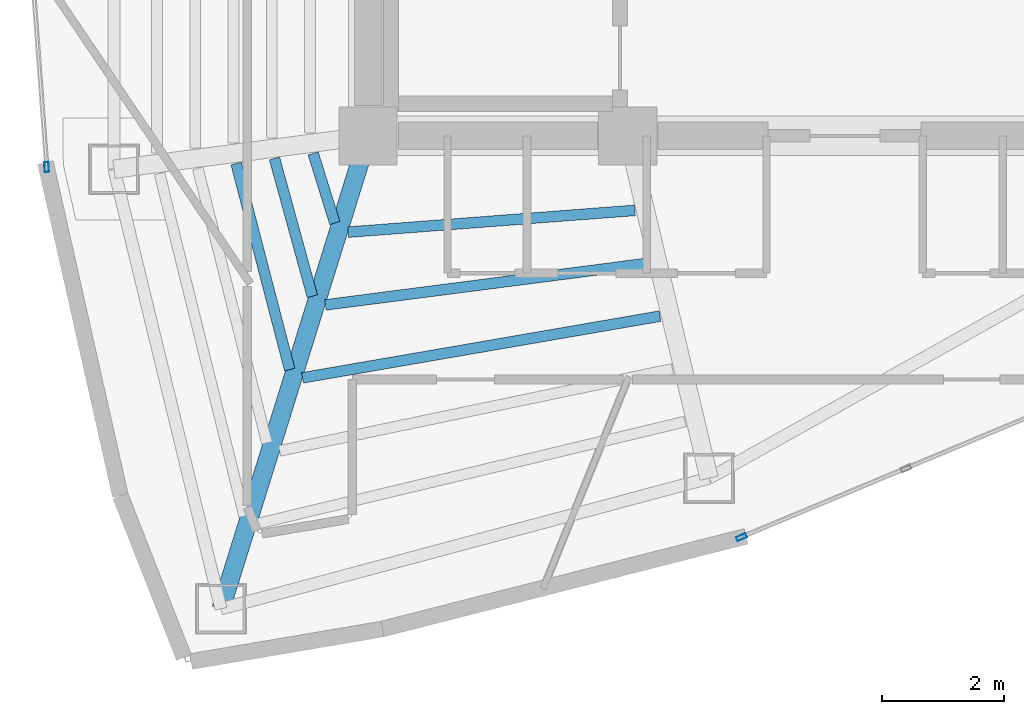
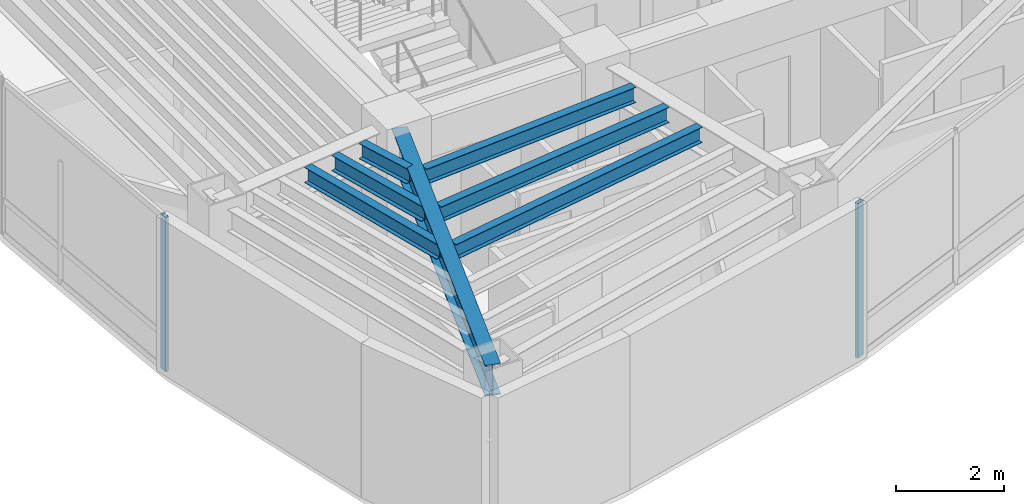
# One storey, part 2 of 15: 7 beams, 2 members, 2 elements without a shape of their own.
"""IFC4 building model written with IfcOpenShell, lengths in metres."""

from ifc_helpers import new_model, si_unit, direction, frame, origin, origin_2d, place, context, subcontext, project, spatial, hollow_rectangle, i_section, extrude, material, layer, layer_set, material_profile, profile_set, type_object, element, aggregate, save


model = new_model("IFC4")

# Units and contexts
model_context = context("Model", 3, precision=1e-05, world=origin(), true_north=direction((0.0, 1.0)))
body_context = subcontext(model_context, "Body", "Model", "MODEL_VIEW")
ifc_project = project(units=[si_unit("LENGTHUNIT", "METRE"), si_unit("AREAUNIT", "SQUARE_METRE"), si_unit("VOLUMEUNIT", "CUBIC_METRE"), si_unit("PLANEANGLEUNIT", "RADIAN"), si_unit("MASSUNIT", "GRAM", prefix="KILO")], contexts=[model_context])

# Site, building, storey
site_placement = place(None, origin())
site = spatial("IfcSite", under=ifc_project, at=site_placement, CompositionType="ELEMENT")
building_placement = place(site_placement, origin())
building = spatial("IfcBuilding", under=site, at=building_placement, Name="Menara Vayukalpa", CompositionType="ELEMENT")
storey_placement = place(building_placement, frame((0.0, 0.0, 269.4599609375)))
storey = spatial("IfcBuildingStorey", under=building, at=storey_placement, Name="L68", CompositionType="ELEMENT", Elevation=269.4599609375)

# Beams
ifc_material_1 = material(Name="Steel S355", Category="steel")
ifc_material_profile_1 = material_profile(ifc_material_1, i_section(OverallWidth=0.300048828125, OverallDepth=0.699951171875, WebThickness=0.012939453125, FlangeThickness=0.02392578125, at=origin_2d()), Name="WF 700x300x13x24")
ifc_profile_set_1 = profile_set([ifc_material_profile_1], Name="Steel S355")
beam_type_1 = type_object("IfcBeamType", Name="BM-PG5", PredefinedType="BEAM", material=ifc_profile_set_1)
beam_1_placement = place(storey_placement, frame((17.7255859375, 16.961181640625, 3.150146484375), z_axis=(-0.297213792842, -0.954810955815, 0.0), x_axis=(0.954810955815, -0.297213792842, 0.0)))
element("IfcBeam", 1, at=beam_1_placement, inside=storey, type_object=beam_type_1, Name="L68 Primary Radial Girder RG07", PredefinedType="BEAM", context=body_context, shape_type="SweptSolid", body=[
    extrude(i_section(OverallWidth=0.300048828125, OverallDepth=0.699951171875, WebThickness=0.012939453125, FlangeThickness=0.02392578125, at=origin_2d()), origin(), (0.0, 0.0, 1.0), 7.861083984375),
])
ifc_material_2 = material(Name="Steel S355", Category="steel")
ifc_material_profile_2 = material_profile(ifc_material_2, i_section(OverallWidth=0.175048828125, OverallDepth=0.35009765625, WebThickness=0.007080078125, FlangeThickness=0.010986328125, at=origin_2d()), Name="WF 350x175x7x11")
ifc_profile_set_2 = profile_set([ifc_material_profile_2], Name="Steel S355")
beam_type_2 = type_object("IfcBeamType", Name="BM-SJ3", PredefinedType="JOIST", material=ifc_profile_set_2)
beam_2_placement = place(storey_placement, frame((16.8984375, 16.91259765625, 3.324951171875), z_axis=(0.298018933644, -0.954559958929, 0.0), x_axis=(0.954559958929, 0.298018933644, 0.0)))
element("IfcBeam", 2, at=beam_2_placement, inside=storey, type_object=beam_type_2, Name="L68 Secondary Floor Joist SJ06-1", PredefinedType="JOIST", context=body_context, shape_type="SweptSolid", body=[
    extrude(i_section(OverallWidth=0.175048828125, OverallDepth=0.35009765625, WebThickness=0.007080078125, FlangeThickness=0.010986328125, at=origin_2d()), origin(), (0.0, 0.0, 1.0), 1.1943359375),
])
beam_3_placement = place(storey_placement, frame((16.2666015625, 16.82861328125, 3.324951171875), z_axis=(0.264918721837, -0.9642707456, 0.0), x_axis=(0.9642707456, 0.264918721837, 0.0)))
element("IfcBeam", 3, at=beam_3_placement, inside=storey, type_object=beam_type_2, Name="L68 Secondary Floor Joist SJ06-2", PredefinedType="JOIST", context=body_context, shape_type="SweptSolid", body=[
    extrude(i_section(OverallWidth=0.175048828125, OverallDepth=0.35009765625, WebThickness=0.007080078125, FlangeThickness=0.010986328125, at=origin_2d()), origin(), (0.0, 0.0, 1.0), 2.3388671875),
])
beam_4_placement = place(storey_placement, frame((15.63818359375, 16.745849609375, 3.324951171875), z_axis=(0.251492114719, -0.96785934734, 0.0), x_axis=(0.96785934734, 0.251492114719, 0.0)))
element("IfcBeam", 4, at=beam_4_placement, inside=storey, type_object=beam_type_2, Name="L68 Secondary Floor Joist SJ06-3", PredefinedType="JOIST", context=body_context, shape_type="SweptSolid", body=[
    extrude(i_section(OverallWidth=0.175048828125, OverallDepth=0.35009765625, WebThickness=0.007080078125, FlangeThickness=0.010986328125, at=origin_2d()), origin(), (0.0, 0.0, 1.0), 3.485107421875),
])
beam_5_placement = place(storey_placement, frame((17.474609375, 15.623046875, 3.324951171875), z_axis=(0.997135697669, 0.075633328852, 0.0), x_axis=(-0.075633328852, 0.997135697669, 0.0)))
element("IfcBeam", 5, at=beam_5_placement, inside=storey, type_object=beam_type_2, Name="L68 Secondary Floor Joist SJ07-1", PredefinedType="JOIST", context=body_context, shape_type="SweptSolid", body=[
    extrude(i_section(OverallWidth=0.175048828125, OverallDepth=0.35009765625, WebThickness=0.007080078125, FlangeThickness=0.010986328125, at=origin_2d()), origin(), (0.0, 0.0, 1.0), 4.706298828125),
])
beam_6_placement = place(storey_placement, frame((17.099853515625, 14.43115234375, 3.324951171875), z_axis=(0.991763759233, 0.128080622546, 0.0), x_axis=(-0.128080622546, 0.991763759233, 0.0)))
element("IfcBeam", 6, at=beam_6_placement, inside=storey, type_object=beam_type_2, Name="L68 Secondary Floor Joist SJ07-2", PredefinedType="JOIST", context=body_context, shape_type="SweptSolid", body=[
    extrude(i_section(OverallWidth=0.175048828125, OverallDepth=0.35009765625, WebThickness=0.007080078125, FlangeThickness=0.010986328125, at=origin_2d()), origin(), (0.0, 0.0, 1.0), 5.316162109375),
])
beam_7_placement = place(storey_placement, frame((16.724853515625, 13.2373046875, 3.324951171875), z_axis=(0.985440172071, 0.170022549294, 0.0), x_axis=(-0.170022549294, 0.985440172071, 0.0)))
element("IfcBeam", 7, at=beam_7_placement, inside=storey, type_object=beam_type_2, Name="L68 Secondary Floor Joist SJ07-3", PredefinedType="JOIST", context=body_context, shape_type="SweptSolid", body=[
    extrude(i_section(OverallWidth=0.175048828125, OverallDepth=0.35009765625, WebThickness=0.007080078125, FlangeThickness=0.010986328125, at=origin_2d()), origin(), (0.0, 0.0, 1.0), 5.93896484375),
])

# Curtain wall, member
ifc_material_3 = material(Name="Anodised Terracotta Aluminium Alloy 6063-T6", Category="masonry")
ifc_layer = layer(ifc_material_3, 0.1650390625)
ifc_layer_set = layer_set([ifc_layer], Name="Anodised Terracotta Aluminium Alloy 6063-T6")
curtain_wall_type = type_object("IfcCurtainWallType", Name="CW-CW6", PredefinedType="USERDEFINED", material=ifc_layer_set)
curtain_wall_1_placement = place(storey_placement, origin())
curtain_wall_1 = element("IfcCurtainWall", 8, at=curtain_wall_1_placement, inside=storey, type_object=curtain_wall_type, Name="L68 Observation and Executive Curtain Wall CW6 11", ObjectType="UNITISED", PredefinedType="USERDEFINED")
ifc_material_4 = material(Name="Anodised Terracotta Aluminium Alloy 6063-T6", Category="masonry")
ifc_material_profile_3 = material_profile(ifc_material_4, hollow_rectangle(XDim=0.070068359375, YDim=0.1650390625, WallThickness=0.00390625, at=origin_2d()), Name="ALU 70x165x4")
ifc_profile_set_3 = profile_set([ifc_material_profile_3], Name="Anodised Terracotta Aluminium Alloy 6063-T6")
member_type = type_object("IfcMemberType", Name="CWM-CW6", PredefinedType="MULLION", material=ifc_profile_set_3)
member_1_placement = place(storey_placement, frame((12.536376953125, 16.688232421875, 0.0), z_axis=(0.0, 0.0, 1.0), x_axis=(0.997199344663, 0.074789484574, 0.0)))
member_1 = element("IfcMember", 9, at=member_1_placement, type_object=member_type, Name="CW6 mullion 2", PredefinedType="MULLION", context=body_context, shape_type="SweptSolid", body=[
    extrude(hollow_rectangle(XDim=0.070068359375, YDim=0.1650390625, WallThickness=0.00390625, at=origin_2d()), origin(), (0.0, 0.0, 1.0), 3.5),
])
aggregate(curtain_wall_1, [member_1])

curtain_wall_2_placement = place(storey_placement, origin())
curtain_wall_2 = element("IfcCurtainWall", 10, at=curtain_wall_2_placement, inside=storey, type_object=curtain_wall_type, Name="L68 Observation and Executive Curtain Wall CW6 16", ObjectType="UNITISED", PredefinedType="USERDEFINED")
member_2_placement = place(storey_placement, frame((23.913330078125, 10.62841796875, 0.0), z_axis=(0.0, 0.0, 1.0), x_axis=(-0.385899911703, 0.922540653927, 0.0)))
member_2 = element("IfcMember", 11, at=member_2_placement, type_object=member_type, Name="CW6 mullion 1", PredefinedType="MULLION", context=body_context, shape_type="SweptSolid", body=[
    extrude(hollow_rectangle(XDim=0.070068359375, YDim=0.1650390625, WallThickness=0.00390625, at=origin_2d()), origin(), (0.0, 0.0, 1.0), 3.5),
])
aggregate(curtain_wall_2, [member_2])

save(model, "model.ifc")
